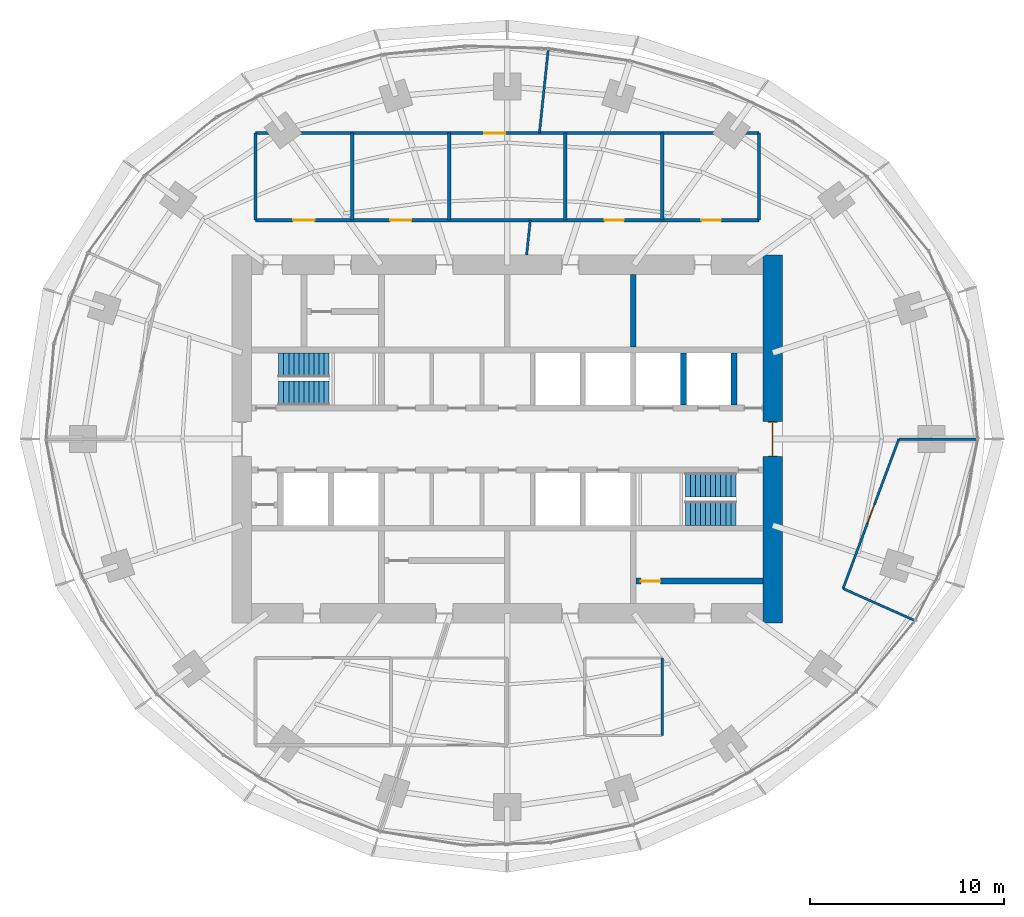
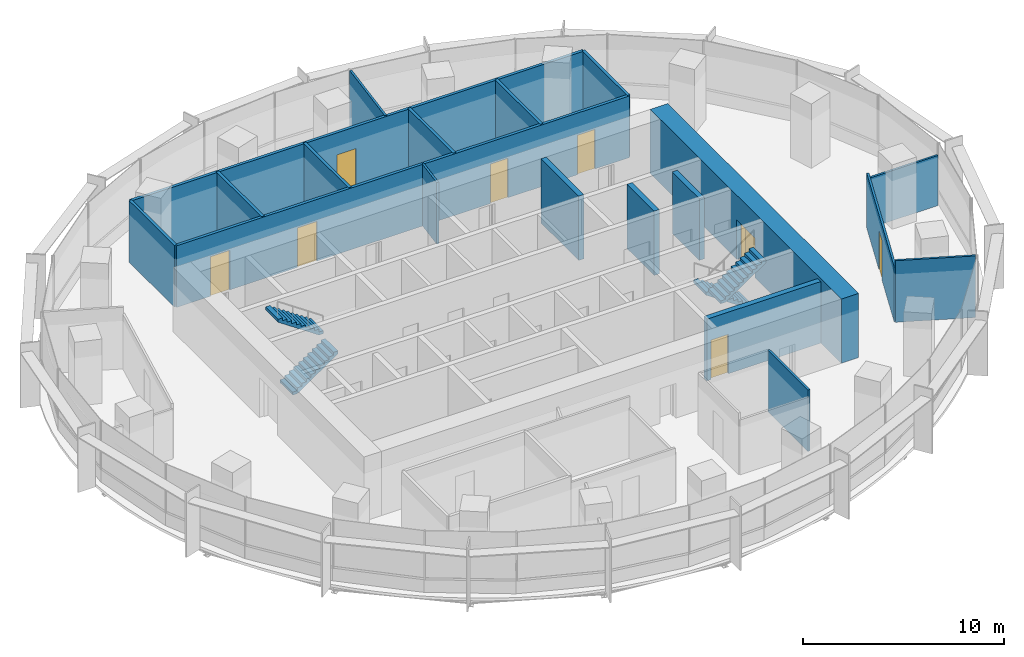
# One storey, part 12 of 14: 19 walls, 8 doors, 4 stair flights, 8 openings, 2 elements without a shape of their own.
"""IFC4 building model written with IfcOpenShell, lengths in metres."""

from ifc_helpers import new_model, si_unit, direction, frame, frame_2d, origin, place, context, subcontext, project, spatial, polyline, rectangle, outline, extrude, material, layer, layer_set, type_object, element, fill, aggregate, save


model = new_model("IFC4")

# Units and contexts
model_context = context("Model", 3, precision=1e-05, world=origin(), true_north=direction((0.0, 1.0)))
body_context = subcontext(model_context, "Body", "Model", "MODEL_VIEW")
ifc_project = project(units=[si_unit("LENGTHUNIT", "METRE"), si_unit("AREAUNIT", "SQUARE_METRE"), si_unit("VOLUMEUNIT", "CUBIC_METRE"), si_unit("PLANEANGLEUNIT", "RADIAN"), si_unit("MASSUNIT", "GRAM", prefix="KILO")], contexts=[model_context])

# Site, building, storey
site_placement = place(None, origin())
site = spatial("IfcSite", under=ifc_project, at=site_placement, CompositionType="ELEMENT")
building_placement = place(site_placement, origin())
building = spatial("IfcBuilding", under=site, at=building_placement, Name="Marramba Exchange Tower", CompositionType="ELEMENT")
storey_placement = place(building_placement, frame((0.0, 0.0, 234.5)))
storey = spatial("IfcBuildingStorey", under=building, at=storey_placement, Name="L57", CompositionType="ELEMENT", Elevation=234.5)

# Walls
ifc_material_1 = material(Name="Plasterboard on staggered double steel studs, acoustic insulation", Category="steel")
ifc_layer_1 = layer(ifc_material_1, 0.169921875)
ifc_layer_set_1 = layer_set([ifc_layer_1], Name="Acoustic partition 170")
wall_type_1 = type_object("IfcWallType", Name="Acoustic partition 170", PredefinedType="PARTITIONING", material=ifc_layer_set_1)
for number, where, z_axis, x_axis, name in (
    (1, (13.0, 11.300048828125, 0.0), (0.0, 0.0, 1.0), (0.0, 1.0, 0.0), "Acoustic partition L57 17"),
    (2, (8.0, 15.800048828125, 0.0), (0.0, 0.0, 1.0), (0.0, -1.0, 0.0), "Acoustic partition L57 18"),
    (3, (3.0, 15.800048828125, 0.0), (0.0, 0.0, 1.0), (0.0, -1.0, 0.0), "Acoustic partition L57 19"),
):
    element("IfcWall", number, at=place(storey_placement, frame(where, z_axis=z_axis, x_axis=x_axis)), inside=storey, type_object=wall_type_1, Name=name, PredefinedType="PARTITIONING", context=body_context, shape_type="SweptSolid", body=[
        extrude(rectangle(XDim=4.5, YDim=0.169921875, at=frame_2d((2.25, 0.0))), origin(), (0.0, 0.0, 1.0), 3.739990234375),
    ])

# Wall, openings, doors
wall_1_placement = place(storey_placement, frame((-13.0, 11.300048828125, 0.0), z_axis=(0.0, 0.0, 1.0), x_axis=(1.0, 0.0, 0.0)))
wall_1 = element("IfcWall", 4, at=wall_1_placement, inside=storey, type_object=wall_type_1, Name="Acoustic partition L57 22", PredefinedType="PARTITIONING", context=body_context, shape_type="SweptSolid", body=[
    extrude(rectangle(XDim=26.0, YDim=0.169921875, at=frame_2d((13.0, 0.0))), origin(), (0.0, 0.0, 1.0), 3.739990234375),
])
opening_1_placement = place(wall_1_placement, frame((1.949951171875, 0.0, 0.0)))
opening_1 = element("IfcOpeningElement", 5, at=opening_1_placement, cuts=wall_1, Name="Opening D15", PredefinedType="OPENING", context=body_context, shape_type="SweptSolid", body=[
    extrude(rectangle(XDim=1.10009765625, YDim=2.39990234375, at=frame_2d((0.550048828125, 1.199951171875))), frame((0.0, 0.094970703125, 0.0), z_axis=(0.0, -1.0, 0.0), x_axis=(1.0, 0.0, 0.0)), (0.0, 0.0, 1.0), 0.18994140625),
])
opening_2_placement = place(wall_1_placement, frame((6.949951171875, 0.0, 0.0)))
opening_2 = element("IfcOpeningElement", 6, at=opening_2_placement, cuts=wall_1, Name="Opening D15", PredefinedType="OPENING", context=body_context, shape_type="SweptSolid", body=[
    extrude(rectangle(XDim=1.10009765625, YDim=2.39990234375, at=frame_2d((0.550048828125, 1.199951171875))), frame((0.0, 0.094970703125, 0.0), z_axis=(0.0, -1.0, 0.0), x_axis=(1.0, 0.0, 0.0)), (0.0, 0.0, 1.0), 0.18994140625),
])
opening_3_placement = place(wall_1_placement, frame((18.02490234375, 0.0, 0.0)))
opening_3 = element("IfcOpeningElement", 7, at=opening_3_placement, cuts=wall_1, Name="Opening D9", PredefinedType="OPENING", context=body_context, shape_type="SweptSolid", body=[
    extrude(rectangle(XDim=1.0, YDim=2.39990234375, at=frame_2d((0.5, 1.199951171875))), frame((0.0, 0.094970703125, 0.0), z_axis=(0.0, -1.0, 0.0), x_axis=(1.0, 0.0, 0.0)), (0.0, 0.0, 1.0), 0.18994140625),
])
opening_4_placement = place(wall_1_placement, frame((23.02490234375, 0.0, 0.0)))
opening_4 = element("IfcOpeningElement", 8, at=opening_4_placement, cuts=wall_1, Name="Opening D9", PredefinedType="OPENING", context=body_context, shape_type="SweptSolid", body=[
    extrude(rectangle(XDim=1.0, YDim=2.39990234375, at=frame_2d((0.5, 1.199951171875))), frame((0.0, 0.094970703125, 0.0), z_axis=(0.0, -1.0, 0.0), x_axis=(1.0, 0.0, 0.0)), (0.0, 0.0, 1.0), 0.18994140625),
])
ifc_material_2 = material(Name="Timber door", Category="wood")
door_type_1 = type_object("IfcDoorType", Name="Glazed meeting room door 1100x2400", OperationType="SINGLE_SWING_LEFT", PredefinedType="DOOR", material=ifc_material_2)
door_1_placement = place(opening_1_placement, origin())
door_1 = element("IfcDoor", 9, at=door_1_placement, inside=storey, type_object=door_type_1, Name="D15 Meeting Room 1 L57", OperationType="SINGLE_SWING_RIGHT", OverallHeight=2.39990234375, OverallWidth=1.10009765625, PredefinedType="DOOR", context=body_context, shape_type="SweptSolid", body=[
    extrude(rectangle(XDim=1.10009765625, YDim=2.39990234375, at=frame_2d((0.550048828125, 1.199951171875))), frame((0.0, 0.02490234375, 0.0), z_axis=(0.0, -1.0, 0.0), x_axis=(1.0, 0.0, 0.0)), (0.0, 0.0, 1.0), 0.050048828125),
])
fill(opening_1, door_1)
door_2_placement = place(opening_2_placement, origin())
door_2 = element("IfcDoor", 10, at=door_2_placement, inside=storey, type_object=door_type_1, Name="D15 Meeting Room 2 L57", OperationType="SINGLE_SWING_RIGHT", OverallHeight=2.39990234375, OverallWidth=1.10009765625, PredefinedType="DOOR", context=body_context, shape_type="SweptSolid", body=[
    extrude(rectangle(XDim=1.10009765625, YDim=2.39990234375, at=frame_2d((0.550048828125, 1.199951171875))), frame((0.0, 0.02490234375, 0.0), z_axis=(0.0, -1.0, 0.0), x_axis=(1.0, 0.0, 0.0)), (0.0, 0.0, 1.0), 0.050048828125),
])
fill(opening_2, door_2)
door_type_2 = type_object("IfcDoorType", Name="Room door 1000x2400", OperationType="SINGLE_SWING_LEFT", PredefinedType="DOOR", material=ifc_material_2)
door_3_placement = place(opening_3_placement, origin())
door_3 = element("IfcDoor", 11, at=door_3_placement, inside=storey, type_object=door_type_2, Name="D9 Interview Room 1 L57", OperationType="SINGLE_SWING_RIGHT", OverallHeight=2.39990234375, OverallWidth=1.0, PredefinedType="DOOR", context=body_context, shape_type="SweptSolid", body=[
    extrude(rectangle(XDim=1.0, YDim=2.39990234375, at=frame_2d((0.5, 1.199951171875))), frame((0.0, 0.02490234375, 0.0), z_axis=(0.0, -1.0, 0.0), x_axis=(1.0, 0.0, 0.0)), (0.0, 0.0, 1.0), 0.050048828125),
])
fill(opening_3, door_3)
door_4_placement = place(opening_4_placement, origin())
door_4 = element("IfcDoor", 12, at=door_4_placement, inside=storey, type_object=door_type_2, Name="D9 Interview Room 2 L57", OperationType="SINGLE_SWING_RIGHT", OverallHeight=2.39990234375, OverallWidth=1.0, PredefinedType="DOOR", context=body_context, shape_type="SweptSolid", body=[
    extrude(rectangle(XDim=1.0, YDim=2.39990234375, at=frame_2d((0.5, 1.199951171875))), frame((0.0, 0.02490234375, 0.0), z_axis=(0.0, -1.0, 0.0), x_axis=(1.0, 0.0, 0.0)), (0.0, 0.0, 1.0), 0.050048828125),
])
fill(opening_4, door_4)

# Wall, opening, door
wall_2_placement = place(storey_placement, frame((13.0, 15.800048828125, 0.0), z_axis=(0.0, 0.0, 1.0), x_axis=(-1.0, 0.0, 0.0)))
wall_2 = element("IfcWall", 13, at=wall_2_placement, inside=storey, type_object=wall_type_1, Name="Acoustic partition L57 23", PredefinedType="PARTITIONING", context=body_context, shape_type="SweptSolid", body=[
    extrude(rectangle(XDim=26.0, YDim=0.169921875, at=frame_2d((13.0, 0.0))), origin(), (0.0, 0.0, 1.0), 3.739990234375),
])
opening_5_placement = place(wall_2_placement, frame((13.094970703125, 0.0, 0.0)))
opening_5 = element("IfcOpeningElement", 14, at=opening_5_placement, cuts=wall_2, Name="Opening D15", PredefinedType="OPENING", context=body_context, shape_type="SweptSolid", body=[
    extrude(rectangle(XDim=1.10009765625, YDim=2.39990234375, at=frame_2d((0.550048828125, 1.199951171875))), frame((0.0, 0.094970703125, 0.0), z_axis=(0.0, -1.0, 0.0), x_axis=(1.0, 0.0, 0.0)), (0.0, 0.0, 1.0), 0.18994140625),
])
door_5_placement = place(opening_5_placement, origin())
door_5 = element("IfcDoor", 15, at=door_5_placement, inside=storey, type_object=door_type_1, Name="D15 Meeting Room 3 L57", OperationType="SINGLE_SWING_RIGHT", OverallHeight=2.39990234375, OverallWidth=1.10009765625, PredefinedType="DOOR", context=body_context, shape_type="SweptSolid", body=[
    extrude(rectangle(XDim=1.10009765625, YDim=2.39990234375, at=frame_2d((0.550048828125, 1.199951171875))), frame((0.0, 0.02490234375, 0.0), z_axis=(0.0, -1.0, 0.0), x_axis=(1.0, 0.0, 0.0)), (0.0, 0.0, 1.0), 0.050048828125),
])
fill(opening_5, door_5)

# Walls
for number, where, z_axis, x_axis, name in (
    (16, (-3.0, 15.800048828125, 0.0), (0.0, 0.0, 1.0), (0.0, -1.0, 0.0), "Acoustic partition L57 24"),
    (17, (-8.0, 15.800048828125, 0.0), (0.0, 0.0, 1.0), (0.0, -1.0, 0.0), "Acoustic partition L57 25"),
    (18, (-13.0, 15.800048828125, 0.0), (0.0, 0.0, 1.0), (0.0, -1.0, 0.0), "Acoustic partition L57 26"),
):
    element("IfcWall", number, at=place(storey_placement, frame(where, z_axis=z_axis, x_axis=x_axis)), inside=storey, type_object=wall_type_1, Name=name, PredefinedType="PARTITIONING", context=body_context, shape_type="SweptSolid", body=[
        extrude(rectangle(XDim=4.5, YDim=0.169921875, at=frame_2d((2.25, 0.0))), origin(), (0.0, 0.0, 1.0), 3.739990234375),
    ])

# Wall, opening, door
ifc_material_3 = material(Name="Concrete N50", Category="concrete")
ifc_layer_2 = layer(ifc_material_3, 1.0)
ifc_layer_set_2 = layer_set([ifc_layer_2], Name="Core wall 1000")
wall_type_2 = type_object("IfcWallType", Name="Core wall 1000", PredefinedType="SHEAR", material=ifc_layer_set_2)
wall_3_placement = place(storey_placement, frame((13.699951171875, -9.5, 0.0), z_axis=(0.0, 0.0, 1.0), x_axis=(0.0, 1.0, 0.0)))
wall_3 = element("IfcWall", 19, at=wall_3_placement, inside=storey, type_object=wall_type_2, Name="Core wall E L57", PredefinedType="SHEAR", context=body_context, shape_type="SweptSolid", body=[
    extrude(rectangle(XDim=19.0, YDim=1.0, at=frame_2d((9.5, 0.0))), origin(), (0.0, 0.0, 1.0), 3.89990234375),
])
opening_6_placement = place(wall_3_placement, frame((8.60009765625, 0.0, 0.0)))
opening_6 = element("IfcOpeningElement", 20, at=opening_6_placement, cuts=wall_3, Name="Opening D1", PredefinedType="OPENING", context=body_context, shape_type="SweptSolid", body=[
    extrude(rectangle(XDim=1.800048828125, YDim=2.39990234375, at=frame_2d((0.89990234375, 1.199951171875))), frame((0.0, 0.510009765625, 0.0), z_axis=(0.0, -1.0, 0.0), x_axis=(1.0, 0.0, 0.0)), (0.0, 0.0, 1.0), 1.02001953125),
])
ifc_material_4 = material(Name="Steel-framed door", Category="steel")
door_type_3 = type_object("IfcDoorType", Name="Lobby exit door 1800x2400", OperationType="DOUBLE_DOOR_SINGLE_SWING", PredefinedType="DOOR", material=ifc_material_4)
door_6_placement = place(opening_6_placement, origin())
door_6 = element("IfcDoor", 21, at=door_6_placement, inside=storey, type_object=door_type_3, Name="D1 lobby exit east L57", OperationType="DOUBLE_DOOR_SINGLE_SWING", OverallHeight=2.39990234375, OverallWidth=1.800048828125, PredefinedType="DOOR", context=body_context, shape_type="SweptSolid", body=[
    extrude(rectangle(XDim=1.719970703125, YDim=2.35986328125, at=frame_2d((0.89990234375, 1.179931640625))), frame((0.0, 0.02490234375, 0.0), z_axis=(0.0, -1.0, 0.0), x_axis=(1.0, 0.0, 0.0)), (0.0, 0.0, 1.0), 0.050048828125),
    extrude(rectangle(XDim=0.04, YDim=2.39990234375, at=frame_2d((0.02001953125, 1.199951171875))), frame((0.0, 0.25, 0.0), z_axis=(0.0, -1.0, 0.0), x_axis=(1.0, 0.0, 0.0)), (0.0, 0.0, 1.0), 0.5),
    extrude(rectangle(XDim=0.04, YDim=2.39990234375, at=frame_2d((1.780029296875, 1.199951171875))), frame((0.0, 0.25, 0.0), z_axis=(0.0, -1.0, 0.0), x_axis=(1.0, 0.0, 0.0)), (0.0, 0.0, 1.0), 0.5),
    extrude(rectangle(XDim=1.719970703125, YDim=0.04, at=frame_2d((0.89990234375, 2.3798828125))), frame((0.0, 0.25, 0.0), z_axis=(0.0, -1.0, 0.0), x_axis=(1.0, 0.0, 0.0)), (0.0, 0.0, 1.0), 0.5),
])
fill(opening_6, door_6)

# Walls
ifc_layer_3 = layer(ifc_material_3, 0.300048828125)
ifc_layer_set_3 = layer_set([ifc_layer_3], Name="Core wall 300")
wall_type_3 = type_object("IfcWallType", Name="Core wall 300", PredefinedType="SHEAR", material=ifc_layer_set_3)
wall_4_placement = place(storey_placement, frame((6.5, 4.75, 0.0), z_axis=(0.0, 0.0, 1.0), x_axis=(0.0, 1.0, 0.0)))
element("IfcWall", 22, at=wall_4_placement, inside=storey, type_object=wall_type_3, Name="Core wall X1Nb L57", PredefinedType="SHEAR", context=body_context, shape_type="SweptSolid", body=[
    extrude(rectangle(XDim=3.75, YDim=0.300048828125, at=frame_2d((1.875, 0.0))), origin(), (0.0, 0.0, 1.0), 3.89990234375),
])
wall_5_placement = place(storey_placement, frame((9.10009765625, 1.75, 0.0), z_axis=(0.0, 0.0, 1.0), x_axis=(0.0, 1.0, 0.0)))
element("IfcWall", 23, at=wall_5_placement, inside=storey, type_object=wall_type_3, Name="Core wall ED L57", PredefinedType="SHEAR", context=body_context, shape_type="SweptSolid", body=[
    extrude(rectangle(XDim=2.699951171875, YDim=0.300048828125, at=frame_2d((1.35009765625, 0.0))), origin(), (0.0, 0.0, 1.0), 3.89990234375),
])
ifc_material_5 = material(Name="Core-filled concrete blockwork", Category="masonry")
ifc_layer_4 = layer(ifc_material_5, 0.300048828125)
ifc_layer_set_4 = layer_set([ifc_layer_4], Name="Lift shaft wall 300")
wall_type_4 = type_object("IfcWallType", Name="Lift shaft wall 300", PredefinedType="SOLIDWALL", material=ifc_layer_set_4)
wall_6_placement = place(storey_placement, frame((11.699951171875, 1.75, 0.0), z_axis=(0.0, 0.0, 1.0), x_axis=(0.0, 1.0, 0.0)))
element("IfcWall", 24, at=wall_6_placement, inside=storey, type_object=wall_type_4, Name="Lift shaft wall E1 L57", PredefinedType="SOLIDWALL", context=body_context, shape_type="SweptSolid", body=[
    extrude(rectangle(XDim=2.699951171875, YDim=0.300048828125, at=frame_2d((1.35009765625, 0.0))), origin(), (0.0, 0.0, 1.0), 3.739990234375),
])
ifc_material_6 = material(Name="Plasterboard on steel studs", Category="steel")
ifc_layer_5 = layer(ifc_material_6, 0.1201171875)
ifc_layer_set_5 = layer_set([ifc_layer_5], Name="Partition 120")
wall_type_5 = type_object("IfcWallType", Name="Partition 120", PredefinedType="PARTITIONING", material=ifc_layer_set_5)
for number, where, z_axis, x_axis, name in (
    (25, (8.0, -11.300048828125, 0.0), (0.0, 0.0, 1.0), (0.0, -1.0, 0.0), "Partition L57 13"),
    (26, (17.334716796875, -7.718017578125, 0.0), (0.0, 0.0, 1.0), (0.913549606868, -0.406727323635, 0.0), "Partition L57 14"),
):
    element("IfcWall", number, at=place(storey_placement, frame(where, z_axis=z_axis, x_axis=x_axis)), inside=storey, type_object=wall_type_5, Name=name, PredefinedType="PARTITIONING", context=body_context, shape_type="SweptSolid", body=[
        extrude(rectangle(XDim=4.0, YDim=0.1201171875, at=frame_2d((2.0, 0.0))), origin(), (0.0, 0.0, 1.0), 3.739990234375),
    ])

# Wall, opening, door
wall_7_placement = place(storey_placement, frame((20.214111328125, 0.0, 0.0), z_axis=(0.0, 0.0, 1.0), x_axis=(-0.349541206964, -0.936920991671, 0.0)))
wall_7 = element("IfcWall", 27, at=wall_7_placement, inside=storey, type_object=wall_type_5, Name="Partition L57 15", PredefinedType="PARTITIONING", context=body_context, shape_type="SweptSolid", body=[
    extrude(rectangle(XDim=8.237548828125, YDim=0.1201171875, at=frame_2d((4.11865234375, 0.0))), origin(), (0.0, 0.0, 1.0), 3.333984375),
])
opening_7_placement = place(wall_7_placement, frame((3.618896484375, 0.0, 0.0)))
opening_7 = element("IfcOpeningElement", 28, at=opening_7_placement, cuts=wall_7, Name="Opening D9", PredefinedType="OPENING", context=body_context, shape_type="SweptSolid", body=[
    extrude(rectangle(XDim=1.0, YDim=2.39990234375, at=frame_2d((0.5, 1.199951171875))), frame((0.0, 0.070068359375, 0.0), z_axis=(0.0, -1.0, 0.0), x_axis=(1.0, 0.0, 0.0)), (0.0, 0.0, 1.0), 0.14013671875),
])
door_7_placement = place(opening_7_placement, origin())
door_7 = element("IfcDoor", 29, at=door_7_placement, inside=storey, type_object=door_type_2, Name="D9 Office 1 L57", OperationType="SINGLE_SWING_RIGHT", OverallHeight=2.39990234375, OverallWidth=1.0, PredefinedType="DOOR", context=body_context, shape_type="SweptSolid", body=[
    extrude(rectangle(XDim=1.0, YDim=2.39990234375, at=frame_2d((0.5, 1.199951171875))), frame((0.0, 0.02490234375, 0.0), z_axis=(0.0, -1.0, 0.0), x_axis=(1.0, 0.0, 0.0)), (0.0, 0.0, 1.0), 0.050048828125),
])
fill(opening_7, door_7)

# Walls
wall_8_placement = place(storey_placement, frame((24.214111328125, 0.0, 0.0), z_axis=(0.0, 0.0, 1.0), x_axis=(-1.0, 0.0, 0.0)))
element("IfcWall", 30, at=wall_8_placement, inside=storey, type_object=wall_type_5, Name="Partition L57 16", PredefinedType="PARTITIONING", context=body_context, shape_type="SweptSolid", body=[
    extrude(rectangle(XDim=4.0, YDim=0.1201171875, at=frame_2d((2.0, 0.0))), origin(), (0.0, 0.0, 1.0), 3.0400390625),
])
wall_9_placement = place(storey_placement, frame((1.66064453125, 15.800048828125, 0.0), z_axis=(0.0, 0.0, 1.0), x_axis=(0.104548874513, 0.994519749848, 0.0)))
element("IfcWall", 31, at=wall_9_placement, inside=storey, type_object=wall_type_5, Name="Partition L57 20", PredefinedType="PARTITIONING", context=body_context, shape_type="SweptSolid", body=[
    extrude(rectangle(XDim=4.301513671875, YDim=0.1201171875, at=frame_2d((2.15087890625, 0.0))), origin(), (0.0, 0.0, 1.0), 3.739990234375),
])
wall_10_placement = place(storey_placement, frame((0.99853515625, 9.5, 0.0), z_axis=(0.0, 0.0, 1.0), x_axis=(0.104537331683, 0.99452096322, 0.0)))
element("IfcWall", 32, at=wall_10_placement, inside=storey, type_object=wall_type_5, Name="Partition L57 21", PredefinedType="PARTITIONING", context=body_context, shape_type="SweptSolid", body=[
    extrude(rectangle(XDim=1.81005859375, YDim=0.1201171875, at=frame_2d((0.905029296875, 0.0))), origin(), (0.0, 0.0, 1.0), 3.739990234375),
])

# Wall, opening, door
ifc_material_7 = material(Name="Plasterboard on steel studs, insulated, unrated", Category="steel")
ifc_layer_6 = layer(ifc_material_7, 0.300048828125)
ifc_layer_set_6 = layer_set([ifc_layer_6], Name="Store partition 300")
wall_type_6 = type_object("IfcWallType", Name="Store partition 300", PredefinedType="PARTITIONING", material=ifc_layer_set_6)
wall_11_placement = place(storey_placement, frame((6.64990234375, -7.327880859375, 0.0), z_axis=(0.0, 0.0, 1.0), x_axis=(1.0, 0.0, 0.0)))
wall_11 = element("IfcWall", 33, at=wall_11_placement, inside=storey, type_object=wall_type_6, Name="Store partition L57 cstore", PredefinedType="PARTITIONING", context=body_context, shape_type="SweptSolid", body=[
    extrude(rectangle(XDim=6.550048828125, YDim=0.300048828125, at=frame_2d((3.27490234375, 0.0))), origin(), (0.0, 0.0, 1.0), 3.739990234375),
])
opening_8_placement = place(wall_11_placement, frame((0.25, 0.0, 0.0)))
opening_8 = element("IfcOpeningElement", 34, at=opening_8_placement, cuts=wall_11, Name="Opening D9", PredefinedType="OPENING", context=body_context, shape_type="SweptSolid", body=[
    extrude(rectangle(XDim=1.0, YDim=2.39990234375, at=frame_2d((0.5, 1.199951171875))), frame((0.0, 0.159912109375, 0.0), z_axis=(0.0, -1.0, 0.0), x_axis=(1.0, 0.0, 0.0)), (0.0, 0.0, 1.0), 0.320068359375),
])
door_8_placement = place(opening_8_placement, frame((1.0, 0.0, 0.0), z_axis=(0.0, 0.0, 1.0), x_axis=(-1.0, 0.0, 0.0)))
door_8 = element("IfcDoor", 35, at=door_8_placement, inside=storey, type_object=door_type_2, Name="D9 general store L57", OperationType="SINGLE_SWING_RIGHT", OverallHeight=2.39990234375, OverallWidth=1.0, PredefinedType="DOOR", context=body_context, shape_type="SweptSolid", body=[
    extrude(rectangle(XDim=1.0, YDim=2.39990234375, at=frame_2d((0.5, 1.199951171875))), frame((0.0, 0.025146484375, 0.0), z_axis=(0.0, -1.0, 0.0), x_axis=(1.0, 0.0, 0.0)), (0.0, 0.0, 1.0), 0.050048828125),
])
fill(opening_8, door_8)

# Stair, stair flights
ifc_material_8 = material(Name="Concrete N40 (40 MPa)", Category="concrete")
stair_type_1 = type_object("IfcStairType", Name="Exit stair ST1 3900 x 1250", PredefinedType="HALF_TURN_STAIR", material=ifc_material_8)
stair_1_placement = place(storey_placement, origin())
stair_1 = element("IfcStair", 36, at=stair_1_placement, inside=storey, type_object=stair_type_1, Name="Exit stair ST1 L57", PredefinedType="HALF_TURN_STAIR")
stair_flight_type_1 = type_object("IfcStairFlightType", Name="ST1 stair flight 1773 riser 1250 wide", PredefinedType="STRAIGHT", material=ifc_material_8)
stair_flight_1_placement = place(storey_placement, frame((-11.800048828125, 2.375, 0.0), z_axis=(0.0, 0.0, 1.0), x_axis=(1.0, 0.0, 0.0)))
stair_flight_1 = element("IfcStairFlight", 37, at=stair_flight_1_placement, type_object=stair_flight_type_1, Name="ST1 flight 1", NumberOfRisers=11, NumberOfTreads=10, PredefinedType="STRAIGHT", RiserHeight=0.177272727, TreadLength=0.26, context=body_context, shape_type="SweptSolid", body=[
    extrude(outline(polyline([(0.0, 0.0), (0.0, 0.17724609375), (0.260009765625, 0.17724609375), (0.260009765625, 0.3544921875), (0.52001953125, 0.3544921875), (0.52001953125, 0.53173828125), (0.780029296875, 0.53173828125), (0.780029296875, 0.708984375), (1.0400390625, 0.708984375), (1.0400390625, 0.886474609375), (1.300048828125, 0.886474609375), (1.300048828125, 1.063720703125), (1.56005859375, 1.063720703125), (1.56005859375, 1.240966796875), (1.820068359375, 1.240966796875), (1.820068359375, 1.418212890625), (2.080078125, 1.418212890625), (2.080078125, 1.595458984375), (2.340087890625, 1.595458984375), (2.340087890625, 1.772705078125), (2.60009765625, 1.772705078125), (2.60009765625, 1.949951171875), (2.60009765625, 1.59130859375), (0.26611328125, 0.0), (0.0, 0.0)])), frame((0.0, 0.625, 0.0), z_axis=(0.0, -1.0, 0.0), x_axis=(1.0, 0.0, 0.0)), (0.0, 0.0, 1.0), 1.25),
])
stair_flight_2_placement = place(storey_placement, frame((-9.199951171875, 3.824951171875, 1.949951171875), z_axis=(0.0, 0.0, 1.0), x_axis=(-1.0, 0.0, 0.0)))
stair_flight_2 = element("IfcStairFlight", 38, at=stair_flight_2_placement, type_object=stair_flight_type_1, Name="ST1 flight 2", NumberOfRisers=11, NumberOfTreads=10, PredefinedType="STRAIGHT", RiserHeight=0.177272727, TreadLength=0.26, context=body_context, shape_type="SweptSolid", body=[
    extrude(outline(polyline([(0.0, 0.0), (0.0, 0.17724609375), (0.260009765625, 0.17724609375), (0.260009765625, 0.3544921875), (0.52001953125, 0.3544921875), (0.52001953125, 0.53173828125), (0.780029296875, 0.53173828125), (0.780029296875, 0.708984375), (1.0400390625, 0.708984375), (1.0400390625, 0.886474609375), (1.300048828125, 0.886474609375), (1.300048828125, 1.063720703125), (1.56005859375, 1.063720703125), (1.56005859375, 1.240966796875), (1.820068359375, 1.240966796875), (1.820068359375, 1.418212890625), (2.080078125, 1.418212890625), (2.080078125, 1.595458984375), (2.340087890625, 1.595458984375), (2.340087890625, 1.772705078125), (2.60009765625, 1.772705078125), (2.60009765625, 1.949951171875), (2.60009765625, 1.59130859375), (0.26611328125, 0.0), (0.0, 0.0)])), frame((0.0, 0.625, 0.0), z_axis=(0.0, -1.0, 0.0), x_axis=(1.0, 0.0, 0.0)), (0.0, 0.0, 1.0), 1.25),
])
aggregate(stair_1, [stair_flight_1, stair_flight_2])

stair_type_2 = type_object("IfcStairType", Name="Exit stair ST2 3900 x 1250", PredefinedType="HALF_TURN_STAIR", material=ifc_material_8)
stair_2_placement = place(storey_placement, origin())
stair_2 = element("IfcStair", 39, at=stair_2_placement, inside=storey, type_object=stair_type_2, Name="Exit stair ST2 L57", PredefinedType="HALF_TURN_STAIR")
stair_flight_type_2 = type_object("IfcStairFlightType", Name="ST2 stair flight 1773 riser 1250 wide", PredefinedType="STRAIGHT", material=ifc_material_8)
stair_flight_3_placement = place(storey_placement, frame((11.800048828125, -2.375, 0.0), z_axis=(0.0, 0.0, 1.0), x_axis=(-1.0, 0.0, 0.0)))
stair_flight_3 = element("IfcStairFlight", 40, at=stair_flight_3_placement, type_object=stair_flight_type_2, Name="ST2 flight 1", NumberOfRisers=11, NumberOfTreads=10, PredefinedType="STRAIGHT", RiserHeight=0.177272727, TreadLength=0.26, context=body_context, shape_type="SweptSolid", body=[
    extrude(outline(polyline([(0.0, 0.0), (0.0, 0.17724609375), (0.260009765625, 0.17724609375), (0.260009765625, 0.3544921875), (0.52001953125, 0.3544921875), (0.52001953125, 0.53173828125), (0.780029296875, 0.53173828125), (0.780029296875, 0.708984375), (1.0400390625, 0.708984375), (1.0400390625, 0.886474609375), (1.300048828125, 0.886474609375), (1.300048828125, 1.063720703125), (1.56005859375, 1.063720703125), (1.56005859375, 1.240966796875), (1.820068359375, 1.240966796875), (1.820068359375, 1.418212890625), (2.080078125, 1.418212890625), (2.080078125, 1.595458984375), (2.340087890625, 1.595458984375), (2.340087890625, 1.772705078125), (2.60009765625, 1.772705078125), (2.60009765625, 1.949951171875), (2.60009765625, 1.59130859375), (0.26611328125, 0.0), (0.0, 0.0)])), frame((0.0, 0.625, 0.0), z_axis=(0.0, -1.0, 0.0), x_axis=(1.0, 0.0, 0.0)), (0.0, 0.0, 1.0), 1.25),
])
stair_flight_4_placement = place(storey_placement, frame((9.199951171875, -3.824951171875, 1.949951171875), z_axis=(0.0, 0.0, 1.0), x_axis=(1.0, 0.0, 0.0)))
stair_flight_4 = element("IfcStairFlight", 41, at=stair_flight_4_placement, type_object=stair_flight_type_2, Name="ST2 flight 2", NumberOfRisers=11, NumberOfTreads=10, PredefinedType="STRAIGHT", RiserHeight=0.177272727, TreadLength=0.26, context=body_context, shape_type="SweptSolid", body=[
    extrude(outline(polyline([(0.0, 0.0), (0.0, 0.17724609375), (0.260009765625, 0.17724609375), (0.260009765625, 0.3544921875), (0.52001953125, 0.3544921875), (0.52001953125, 0.53173828125), (0.780029296875, 0.53173828125), (0.780029296875, 0.708984375), (1.0400390625, 0.708984375), (1.0400390625, 0.886474609375), (1.300048828125, 0.886474609375), (1.300048828125, 1.063720703125), (1.56005859375, 1.063720703125), (1.56005859375, 1.240966796875), (1.820068359375, 1.240966796875), (1.820068359375, 1.418212890625), (2.080078125, 1.418212890625), (2.080078125, 1.595458984375), (2.340087890625, 1.595458984375), (2.340087890625, 1.772705078125), (2.60009765625, 1.772705078125), (2.60009765625, 1.949951171875), (2.60009765625, 1.59130859375), (0.26611328125, 0.0), (0.0, 0.0)])), frame((0.0, 0.625, 0.0), z_axis=(0.0, -1.0, 0.0), x_axis=(1.0, 0.0, 0.0)), (0.0, 0.0, 1.0), 1.25),
])
aggregate(stair_2, [stair_flight_3, stair_flight_4])

save(model, "model.ifc")
